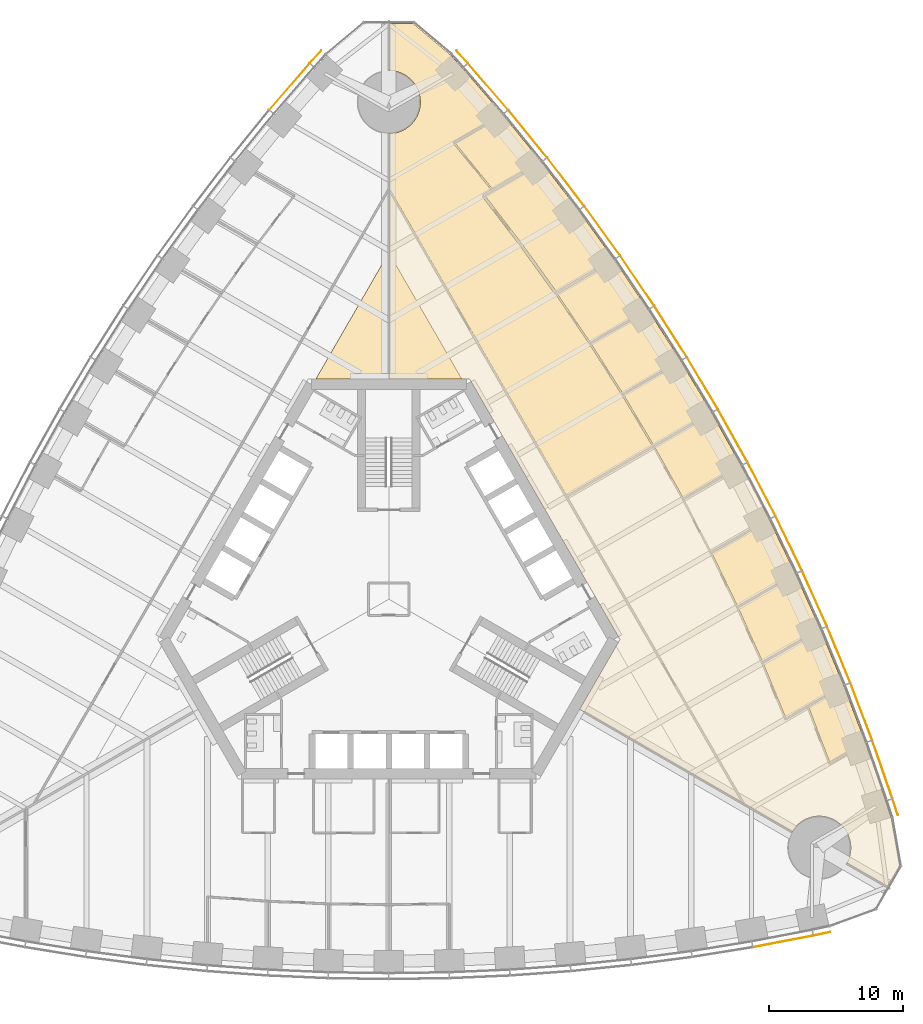
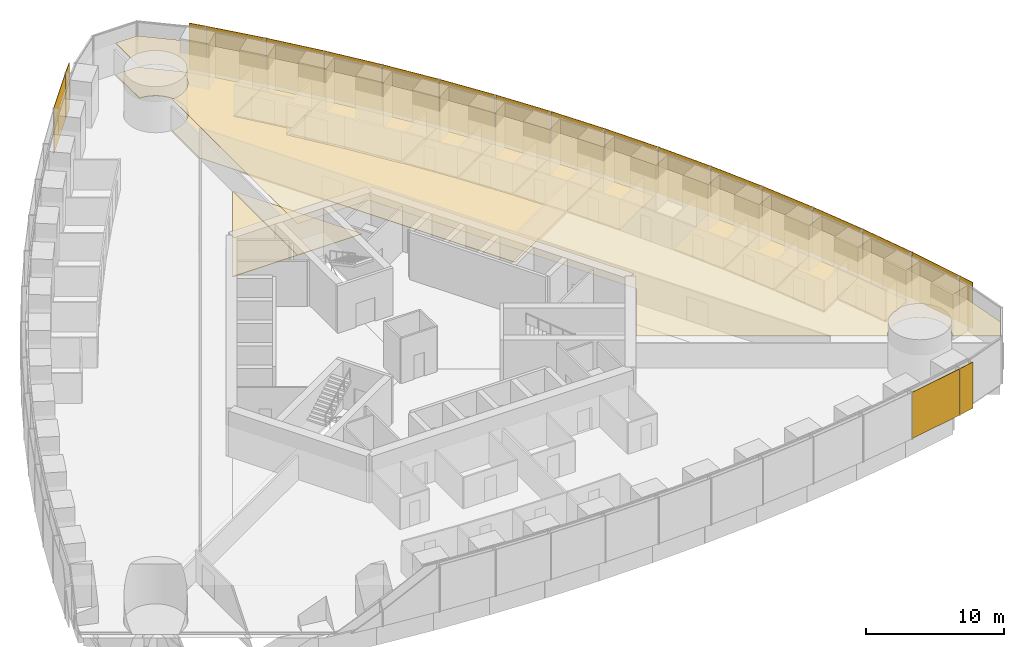
# One storey, part 16 of 18: 20 shading devices, 14 coverings.
"""IFC4 building model written with IfcOpenShell, lengths in metres."""

from ifc_helpers import new_model, si_unit, direction, frame, origin, origin_2d, place, context, subcontext, project, spatial, polyline, rectangle, outline, extrude, material, layer, layer_set, type_object, element, save


model = new_model("IFC4")

# Units and contexts
model_context = context("Model", 3, precision=1e-05, world=origin(), true_north=direction((0.0, 1.0)))
body_context = subcontext(model_context, "Body", "Model", "MODEL_VIEW")
ifc_project = project(units=[si_unit("LENGTHUNIT", "METRE"), si_unit("AREAUNIT", "SQUARE_METRE"), si_unit("VOLUMEUNIT", "CUBIC_METRE"), si_unit("PLANEANGLEUNIT", "RADIAN"), si_unit("MASSUNIT", "GRAM", prefix="KILO")], contexts=[model_context])

# Site, building, storey
site_placement = place(None, origin())
site = spatial("IfcSite", under=ifc_project, at=site_placement, CompositionType="ELEMENT")
building_placement = place(site_placement, origin())
building = spatial("IfcBuilding", under=site, at=building_placement, Name="Trefoil Bronze Tower", CompositionType="ELEMENT")
storey_placement = place(building_placement, frame((0.0, 0.0, 75.300048828125)))
storey = spatial("IfcBuildingStorey", under=building, at=storey_placement, Name="L17", CompositionType="ELEMENT", Elevation=75.300048828125)

# Shading devices
ifc_material_1 = material(Name="Perforated bronze sheet", Category="bronze")
ifc_layer_1 = layer(ifc_material_1, 0.0400390625)
ifc_layer_set_1 = layer_set([ifc_layer_1], Name="Bronze solar screen panel")
shading_device_type = type_object("IfcShadingDeviceType", Name="Bronze solar screen panel", PredefinedType="SHUTTER", material=ifc_layer_set_1)
shading_device_1_placement = place(storey_placement, frame((29.351806640625, -25.478515625, 0.0498046875), z_axis=(0.0, 0.0, 1.0), x_axis=(0.982049823817, 0.188621694249, 0.0)))
element("IfcShadingDevice", 1, at=shading_device_1_placement, inside=storey, type_object=shading_device_type, Name="Solar screen CW-A L17 F1 bay 15", PredefinedType="SHUTTER", context=body_context, shape_type="SweptSolid", body=[
    extrude(rectangle(XDim=4.55224609375, YDim=0.0400390625, at=origin_2d()), origin(), (0.0, 0.0, 1.0), 4.10009765625),
])
for number, where, z_axis, x_axis, name in (
    (2, (32.2431640625, -24.91064453125, 0.0498046875), (0.0, 0.0, 1.0), (0.978302717041, 0.207180582657, 0.0), "Solar screen CW-A L17 F1 bay 16"),
    (3, (37.69482421875, -15.468017578125, 0.0498046875), (0.0, 0.0, 1.0), (-0.309727710769, 0.950825296877, 0.0), "Solar screen CW-A L17 F2 bay 1"),
):
    element("IfcShadingDevice", number, at=place(storey_placement, frame(where, z_axis=z_axis, x_axis=x_axis)), inside=storey, type_object=shading_device_type, Name=name, PredefinedType="SHUTTER", context=body_context, shape_type="SweptSolid", body=[
        extrude(rectangle(XDim=1.260498046875, YDim=0.0400390625, at=origin_2d()), origin(), (0.0, 0.0, 1.0), 4.10009765625),
    ])
shading_device_2_placement = place(storey_placement, frame((36.740966796875, -12.68017578125, 0.0498046875), z_axis=(0.0, 0.0, 1.0), x_axis=(-0.327673732984, 0.944790942332, 0.0)))
element("IfcShadingDevice", 4, at=shading_device_2_placement, inside=storey, type_object=shading_device_type, Name="Solar screen CW-A L17 F2 bay 2", PredefinedType="SHUTTER", context=body_context, shape_type="SweptSolid", body=[
    extrude(rectangle(XDim=4.55224609375, YDim=0.0400390625, at=origin_2d()), origin(), (0.0, 0.0, 1.0), 4.10009765625),
])
shading_device_3_placement = place(storey_placement, frame((35.1748046875, -8.3701171875, 0.0498046875), z_axis=(0.0, 0.0, 1.0), x_axis=(-0.355370585687, 0.934725492767, 0.0)))
element("IfcShadingDevice", 5, at=shading_device_3_placement, inside=storey, type_object=shading_device_type, Name="Solar screen CW-A L17 F2 bay 3", PredefinedType="SHUTTER", context=body_context, shape_type="SweptSolid", body=[
    extrude(rectangle(XDim=4.5283203125, YDim=0.0400390625, at=origin_2d()), origin(), (0.0, 0.0, 1.0), 4.10009765625),
])
shading_device_4_placement = place(storey_placement, frame((33.49072265625, -4.128173828125, 0.0498046875), z_axis=(0.0, 0.0, 1.0), x_axis=(-0.382629580712, 0.923901836758, 0.0)))
element("IfcShadingDevice", 6, at=shading_device_4_placement, inside=storey, type_object=shading_device_type, Name="Solar screen CW-A L17 F2 bay 4", PredefinedType="SHUTTER", context=body_context, shape_type="SweptSolid", body=[
    extrude(rectangle(XDim=4.5087890625, YDim=0.0400390625, at=origin_2d()), origin(), (0.0, 0.0, 1.0), 4.10009765625),
])
shading_device_5_placement = place(storey_placement, frame((31.68994140625, 0.04638671875, 0.0498046875), z_axis=(0.0, 0.0, 1.0), x_axis=(-0.40945635808, 0.912329705111, 0.0)))
element("IfcShadingDevice", 7, at=shading_device_5_placement, inside=storey, type_object=shading_device_type, Name="Solar screen CW-A L17 F2 bay 5", PredefinedType="SHUTTER", context=body_context, shape_type="SweptSolid", body=[
    extrude(rectangle(XDim=4.493408203125, YDim=0.0400390625, at=origin_2d()), origin(), (0.0, 0.0, 1.0), 4.10009765625),
])
shading_device_6_placement = place(storey_placement, frame((29.77392578125, 4.154541015625, 0.0498046875), z_axis=(0.0, 0.0, 1.0), x_axis=(-0.4358553457, 0.900016731858, 0.0)))
element("IfcShadingDevice", 8, at=shading_device_6_placement, inside=storey, type_object=shading_device_type, Name="Solar screen CW-A L17 F2 bay 6", PredefinedType="SHUTTER", context=body_context, shape_type="SweptSolid", body=[
    extrude(rectangle(XDim=4.48193359375, YDim=0.0400390625, at=origin_2d()), origin(), (0.0, 0.0, 1.0), 4.10009765625),
])
shading_device_7_placement = place(storey_placement, frame((27.74365234375, 8.1962890625, 0.0498046875), z_axis=(0.0, 0.0, 1.0), x_axis=(-0.46182981834, 0.886968555752, 0.0)))
element("IfcShadingDevice", 9, at=shading_device_7_placement, inside=storey, type_object=shading_device_type, Name="Solar screen CW-A L17 F2 bay 7", PredefinedType="SHUTTER", context=body_context, shape_type="SweptSolid", body=[
    extrude(rectangle(XDim=4.474365234375, YDim=0.0400390625, at=origin_2d()), origin(), (0.0, 0.0, 1.0), 4.10009765625),
])
for number, where, z_axis, x_axis, name in (
    (10, (25.599365234375, 12.172607421875, 0.0498046875), (0.0, 0.0, 1.0), (-0.487381940453, 0.873188893722, 0.0), "Solar screen CW-A L17 F2 bay 8"),
    (11, (23.341552734375, 16.083251953125, 0.0498046875), (0.0, 0.0, 1.0), (-0.51251279404, 0.858679588639, 0.0), "Solar screen CW-A L17 F2 bay 9"),
):
    element("IfcShadingDevice", number, at=place(storey_placement, frame(where, z_axis=z_axis, x_axis=x_axis)), inside=storey, type_object=shading_device_type, Name=name, PredefinedType="SHUTTER", context=body_context, shape_type="SweptSolid", body=[
        extrude(rectangle(XDim=4.470458984375, YDim=0.0400390625, at=origin_2d()), origin(), (0.0, 0.0, 1.0), 4.10009765625),
    ])
shading_device_8_placement = place(storey_placement, frame((20.97021484375, 19.928466796875, 0.0498046875), z_axis=(0.0, 0.0, 1.0), x_axis=(-0.537222392469, 0.843440632783, 0.0)))
element("IfcShadingDevice", 12, at=shading_device_8_placement, inside=storey, type_object=shading_device_type, Name="Solar screen CW-A L17 F2 bay 10", PredefinedType="SHUTTER", context=body_context, shape_type="SweptSolid", body=[
    extrude(rectangle(XDim=4.474365234375, YDim=0.0400390625, at=origin_2d()), origin(), (0.0, 0.0, 1.0), 4.10009765625),
])
shading_device_9_placement = place(storey_placement, frame((18.48486328125, 23.707763671875, 0.0498046875), z_axis=(0.0, 0.0, 1.0), x_axis=(-0.56150968077, 0.827470167681, 0.0)))
element("IfcShadingDevice", 13, at=shading_device_9_placement, inside=storey, type_object=shading_device_type, Name="Solar screen CW-A L17 F2 bay 11", PredefinedType="SHUTTER", context=body_context, shape_type="SweptSolid", body=[
    extrude(rectangle(XDim=4.48193359375, YDim=0.0400390625, at=origin_2d()), origin(), (0.0, 0.0, 1.0), 4.10009765625),
])
shading_device_10_placement = place(storey_placement, frame((15.88525390625, 27.421142578125, 0.0498046875), z_axis=(0.0, 0.0, 1.0), x_axis=(-0.585372522213, 0.810764460394, 0.0)))
element("IfcShadingDevice", 14, at=shading_device_10_placement, inside=storey, type_object=shading_device_type, Name="Solar screen CW-A L17 F2 bay 12", PredefinedType="SHUTTER", context=body_context, shape_type="SweptSolid", body=[
    extrude(rectangle(XDim=4.493408203125, YDim=0.0400390625, at=origin_2d()), origin(), (0.0, 0.0, 1.0), 4.10009765625),
])
shading_device_11_placement = place(storey_placement, frame((13.170166015625, 31.06787109375, 0.0498046875), z_axis=(0.0, 0.0, 1.0), x_axis=(-0.608807670879, 0.793317855515, 0.0)))
element("IfcShadingDevice", 15, at=shading_device_11_placement, inside=storey, type_object=shading_device_type, Name="Solar screen CW-A L17 F2 bay 13", PredefinedType="SHUTTER", context=body_context, shape_type="SweptSolid", body=[
    extrude(rectangle(XDim=4.5087890625, YDim=0.0400390625, at=origin_2d()), origin(), (0.0, 0.0, 1.0), 4.10009765625),
])
shading_device_12_placement = place(storey_placement, frame((10.338623046875, 34.6474609375, 0.0498046875), z_axis=(0.0, 0.0, 1.0), x_axis=(-0.631810729457, 0.775122701346, 0.0)))
element("IfcShadingDevice", 16, at=shading_device_12_placement, inside=storey, type_object=shading_device_type, Name="Solar screen CW-A L17 F2 bay 14", PredefinedType="SHUTTER", context=body_context, shape_type="SweptSolid", body=[
    extrude(rectangle(XDim=4.5283203125, YDim=0.0400390625, at=origin_2d()), origin(), (0.0, 0.0, 1.0), 4.10009765625),
])
shading_device_13_placement = place(storey_placement, frame((7.38916015625, 38.15869140625, 0.0498046875), z_axis=(0.0, 0.0, 1.0), x_axis=(-0.654376090833, 0.756169248083, 0.0)))
element("IfcShadingDevice", 17, at=shading_device_13_placement, inside=storey, type_object=shading_device_type, Name="Solar screen CW-A L17 F2 bay 15", PredefinedType="SHUTTER", context=body_context, shape_type="SweptSolid", body=[
    extrude(rectangle(XDim=4.55224609375, YDim=0.0400390625, at=origin_2d()), origin(), (0.0, 0.0, 1.0), 4.10009765625),
])
for number, where, z_axis, x_axis, name in (
    (18, (5.45166015625, 40.378662109375, 0.0498046875), (0.0, 0.0, 1.0), (-0.668575006272, 0.743644714221, 0.0), "Solar screen CW-A L17 F2 bay 16"),
    (19, (-5.45166015625, 40.378662109375, 0.0498046875), (0.0, 0.0, 1.0), (-0.668575006272, -0.743644714221, 0.0), "Solar screen CW-A L17 F3 bay 1"),
):
    element("IfcShadingDevice", number, at=place(storey_placement, frame(where, z_axis=z_axis, x_axis=x_axis)), inside=storey, type_object=shading_device_type, Name=name, PredefinedType="SHUTTER", context=body_context, shape_type="SweptSolid", body=[
        extrude(rectangle(XDim=1.260498046875, YDim=0.0400390625, at=origin_2d()), origin(), (0.0, 0.0, 1.0), 4.10009765625),
    ])
shading_device_14_placement = place(storey_placement, frame((-7.38916015625, 38.15869140625, 0.0498046875), z_axis=(0.0, 0.0, 1.0), x_axis=(-0.654376090833, -0.756169248083, 0.0)))
element("IfcShadingDevice", 20, at=shading_device_14_placement, inside=storey, type_object=shading_device_type, Name="Solar screen CW-A L17 F3 bay 2", PredefinedType="SHUTTER", context=body_context, shape_type="SweptSolid", body=[
    extrude(rectangle(XDim=4.55224609375, YDim=0.0400390625, at=origin_2d()), origin(), (0.0, 0.0, 1.0), 4.10009765625),
])

# Coverings
ifc_material_2 = material(Name="Acoustic ceiling panels", Category="mineral fibre")
ifc_layer_2 = layer(ifc_material_2, 0.02001953125)
ifc_layer_set_2 = layer_set([ifc_layer_2], Name="Office ceiling 20")
covering_type_1 = type_object("IfcCoveringType", Name="Office ceiling 20", PredefinedType="CEILING", material=ifc_layer_set_2)
covering_1_placement = place(storey_placement, frame((0.0, 0.0, 2.89990234375)))
element("IfcCovering", 21, at=covering_1_placement, inside=storey, type_object=covering_type_1, Name="Ceiling L17 Open-plan office F2", PredefinedType="CEILING", context=body_context, shape_type="SweptSolid", body=[
    extrude(outline(polyline([(5.4814453125, 39.537841796875), (8.47998046875, 36.072998046875), (11.360107421875, 32.53955078125), (14.123291015625, 28.938720703125), (16.771240234375, 25.271484375), (19.3046875, 21.537841796875), (21.724609375, 17.73876953125), (24.031005859375, 13.87451171875), (26.224609375, 9.944580078125), (28.3046875, 5.949462890625), (30.271240234375, 1.888671875), (32.123291015625, -2.23828125), (33.860107421875, -6.431640625), (35.47998046875, -10.6923828125), (36.9814453125, -15.021728515625), (37.381103515625, -16.248779296875), (38.0146484375, -19.841552734375), (37.110595703125, -21.4072265625), (34.084716796875, -19.661865234375), (34.115478515625, -19.60791015625), (34.167236328125, -19.5048828125), (34.214111328125, -19.3994140625), (34.255615234375, -19.291748046875), (34.291748046875, -19.18212890625), (34.322509765625, -19.071044921875), (34.347900390625, -18.95849609375), (34.367431640625, -18.8447265625), (34.381591796875, -18.730224609375), (34.39013671875, -18.615234375), (34.392822265625, -18.5), (34.39013671875, -18.384765625), (34.381591796875, -18.269775390625), (34.367431640625, -18.1552734375), (34.347900390625, -18.04150390625), (34.322509765625, -17.928955078125), (34.291748046875, -17.81787109375), (34.255615234375, -17.708251953125), (34.214111328125, -17.6005859375), (34.167236328125, -17.4951171875), (34.115478515625, -17.39208984375), (34.05859375, -17.2919921875), (33.996826171875, -17.1943359375), (33.930419921875, -17.10009765625), (33.859619140625, -17.00927734375), (33.7841796875, -16.921875), (33.70458984375, -16.83837890625), (33.62109375, -16.7587890625), (33.53369140625, -16.683349609375), (33.44287109375, -16.612548828125), (33.348388671875, -16.5458984375), (33.251220703125, -16.484375), (33.150634765625, -16.427490234375), (33.047607421875, -16.37548828125), (32.942138671875, -16.328857421875), (32.834716796875, -16.287353515625), (32.72509765625, -16.251220703125), (32.614013671875, -16.220458984375), (32.50146484375, -16.1953125), (32.3876953125, -16.17529296875), (32.273193359375, -16.161376953125), (32.158203125, -16.15283203125), (32.04296875, -16.14990234375), (31.927490234375, -16.15283203125), (31.8125, -16.161376953125), (31.697998046875, -16.17529296875), (31.58447265625, -16.1953125), (31.471923828125, -16.220458984375), (31.36083984375, -16.251220703125), (31.251220703125, -16.287353515625), (31.1435546875, -16.328857421875), (31.0380859375, -16.37548828125), (30.935302734375, -16.427490234375), (30.834716796875, -16.484375), (30.7373046875, -16.5458984375), (30.64306640625, -16.612548828125), (30.552001953125, -16.683349609375), (30.46484375, -16.7587890625), (30.381103515625, -16.83837890625), (30.3017578125, -16.921875), (30.226318359375, -17.00927734375), (30.155517578125, -17.10009765625), (30.089111328125, -17.1943359375), (30.02734375, -17.2919921875), (30.0146484375, -17.31396484375), (14.205810546875, -8.194580078125), (17.205078125, -3.0), (6.00439453125, 16.39990234375), (0.006103515625, 16.39990234375), (0.012939453125, 34.650390625), (0.115234375, 34.65283203125), (0.230224609375, 34.661376953125), (0.3447265625, 34.67529296875), (0.45849609375, 34.6953125), (0.571044921875, 34.720458984375), (0.68212890625, 34.751220703125), (0.791748046875, 34.787353515625), (0.8994140625, 34.828857421875), (1.0048828125, 34.87548828125), (1.10791015625, 34.927490234375), (1.2080078125, 34.984375), (1.3056640625, 35.0458984375), (1.39990234375, 35.112548828125), (1.49072265625, 35.183349609375), (1.578125, 35.2587890625), (1.66162109375, 35.33837890625), (1.7412109375, 35.421875), (1.816650390625, 35.50927734375), (1.887451171875, 35.60009765625), (1.9541015625, 35.6943359375), (2.015625, 35.7919921875), (2.072509765625, 35.89208984375), (2.12451171875, 35.9951171875), (2.171142578125, 36.1005859375), (2.212646484375, 36.208251953125), (2.248779296875, 36.31787109375), (2.279541015625, 36.428955078125), (2.3046875, 36.54150390625), (2.32470703125, 36.6552734375), (2.338623046875, 36.769775390625), (2.34716796875, 36.884765625), (2.35009765625, 37.0), (2.34716796875, 37.115234375), (2.338623046875, 37.230224609375), (2.32470703125, 37.3447265625), (2.3046875, 37.45849609375), (2.279541015625, 37.571044921875), (2.248779296875, 37.68212890625), (2.212646484375, 37.791748046875), (2.171142578125, 37.8994140625), (2.12451171875, 38.0048828125), (2.072509765625, 38.10791015625), (2.015625, 38.2080078125), (1.9541015625, 38.3056640625), (1.887451171875, 38.39990234375), (1.816650390625, 38.49072265625), (1.7412109375, 38.578125), (1.66162109375, 38.66162109375), (1.578125, 38.7412109375), (1.49072265625, 38.816650390625), (1.39990234375, 38.887451171875), (1.3056640625, 38.9541015625), (1.2080078125, 39.015625), (1.10791015625, 39.072509765625), (1.0048828125, 39.12451171875), (0.8994140625, 39.171142578125), (0.791748046875, 39.212646484375), (0.68212890625, 39.248779296875), (0.571044921875, 39.279541015625), (0.45849609375, 39.3046875), (0.3447265625, 39.32470703125), (0.230224609375, 39.338623046875), (0.115234375, 39.34716796875), (0.014892578125, 39.349609375), (0.01611328125, 42.84228515625), (1.82421875, 42.84228515625), (4.618896484375, 40.497314453125), (5.4814453125, 39.537841796875)])), origin(), (0.0, 0.0, 1.0), 0.02001953125),
])
ifc_material_3 = material(Name="Raised access floor panels", Category="steel")
ifc_layer_3 = layer(ifc_material_3, 0.050048828125)
ifc_layer_set_3 = layer_set([ifc_layer_3], Name="Raised access floor 150")
covering_type_2 = type_object("IfcCoveringType", Name="Raised access floor 150", PredefinedType="FLOORING", material=ifc_layer_set_3)
covering_2_placement = place(storey_placement, frame((0.0, 0.0, 0.099853515625)))
element("IfcCovering", 22, at=covering_2_placement, inside=storey, type_object=covering_type_2, Name="Raised floor L17 Reception F2", PredefinedType="FLOORING", context=body_context, shape_type="SweptSolid", body=[
    extrude(outline(polyline([(11.360107421875, 32.53955078125), (9.93359375, 31.7158203125), (9.883544921875, 31.802490234375), (7.71142578125, 30.54833984375), (4.933837890625, 33.9560546875), (7.07666015625, 35.193359375), (7.046630859375, 35.245361328125), (8.47998046875, 36.072998046875), (11.360107421875, 32.53955078125)])), origin(), (0.0, 0.0, 1.0), 0.050048828125),
])
covering_3_placement = place(storey_placement, frame((0.0, 0.0, 0.099853515625)))
element("IfcCovering", 23, at=covering_3_placement, inside=storey, type_object=covering_type_2, Name="Raised floor L17 Boardroom F2", PredefinedType="FLOORING", context=body_context, shape_type="SweptSolid", body=[
    extrude(outline(polyline([(16.771240234375, 25.271484375), (15.354248046875, 24.453369140625), (15.30419921875, 24.539794921875), (12.469482421875, 22.903076171875), (9.87451171875, 26.497314453125), (9.793212890625, 26.438720703125), (9.87255859375, 26.49951171875), (7.1787109375, 30.010009765625), (9.9833984375, 31.62939453125), (9.93359375, 31.7158203125), (11.360107421875, 32.53955078125), (14.123291015625, 28.938720703125), (16.771240234375, 25.271484375)])), origin(), (0.0, 0.0, 1.0), 0.050048828125),
])
covering_4_placement = place(storey_placement, frame((0.0, 0.0, 0.099853515625)))
element("IfcCovering", 24, at=covering_4_placement, inside=storey, type_object=covering_type_2, Name="Raised floor L17 Office F2", PredefinedType="FLOORING", context=body_context, shape_type="SweptSolid", body=[
    extrude(outline(polyline([(16.771240234375, 25.271484375), (19.3046875, 21.537841796875), (17.890869140625, 20.721435546875), (17.86083984375, 20.7734375), (14.992919921875, 19.117919921875), (12.549560546875, 22.718505859375), (15.404296875, 24.36669921875), (15.354248046875, 24.453369140625), (16.771240234375, 25.271484375)])), origin(), (0.0, 0.0, 1.0), 0.050048828125),
])
covering_5_placement = place(storey_placement, frame((0.0, 0.0, 0.099853515625)))
element("IfcCovering", 25, at=covering_5_placement, inside=storey, type_object=covering_type_2, Name="Raised floor L17 Office F2", PredefinedType="FLOORING", context=body_context, shape_type="SweptSolid", body=[
    extrude(outline(polyline([(21.724609375, 17.73876953125), (20.312255859375, 16.923583984375), (20.2822265625, 16.975341796875), (17.414306640625, 15.319580078125), (15.058837890625, 19.017333984375), (17.9208984375, 20.669677734375), (17.890869140625, 20.721435546875), (19.3046875, 21.537841796875), (21.724609375, 17.73876953125)])), origin(), (0.0, 0.0, 1.0), 0.050048828125),
])
covering_6_placement = place(storey_placement, frame((0.0, 0.0, 0.099853515625)))
element("IfcCovering", 26, at=covering_6_placement, inside=storey, type_object=covering_type_2, Name="Raised floor L17 Office F2", PredefinedType="FLOORING", context=body_context, shape_type="SweptSolid", body=[
    extrude(outline(polyline([(21.724609375, 17.73876953125), (24.031005859375, 13.87451171875), (22.619384765625, 13.059326171875), (22.58203125, 13.124267578125), (19.714599609375, 11.46875), (17.47705078125, 15.21728515625), (20.34228515625, 16.87158203125), (20.312255859375, 16.923583984375), (21.724609375, 17.73876953125)])), origin(), (0.0, 0.0, 1.0), 0.050048828125),
])
covering_7_placement = place(storey_placement, frame((0.0, 0.0, 0.099853515625)))
element("IfcCovering", 27, at=covering_7_placement, inside=storey, type_object=covering_type_2, Name="Raised floor L17 Office F2", PredefinedType="FLOORING", context=body_context, shape_type="SweptSolid", body=[
    extrude(outline(polyline([(24.031005859375, 13.87451171875), (26.224609375, 9.944580078125), (24.812255859375, 9.12939453125), (24.7822265625, 9.18115234375), (21.9169921875, 7.527099609375), (19.78955078125, 11.3388671875), (22.656982421875, 12.994384765625), (22.619384765625, 13.059326171875), (24.031005859375, 13.87451171875)])), origin(), (0.0, 0.0, 1.0), 0.050048828125),
])
covering_8_placement = place(storey_placement, frame((0.0, 0.0, 0.099853515625)))
element("IfcCovering", 28, at=covering_8_placement, inside=storey, type_object=covering_type_2, Name="Raised floor L17 Office F2", PredefinedType="FLOORING", context=body_context, shape_type="SweptSolid", body=[
    extrude(outline(polyline([(28.3046875, 5.949462890625), (30.271240234375, 1.888671875), (28.854248046875, 1.070556640625), (28.82421875, 1.12255859375), (25.967041015625, -0.527099609375), (24.052978515625, 3.42529296875), (26.9208984375, 5.0810546875), (26.890869140625, 5.133056640625), (28.3046875, 5.949462890625)])), origin(), (0.0, 0.0, 1.0), 0.050048828125),
])
covering_9_placement = place(storey_placement, frame((0.0, 0.0, 0.099853515625)))
element("IfcCovering", 29, at=covering_9_placement, inside=storey, type_object=covering_type_2, Name="Raised floor L17 Meeting room F2", PredefinedType="FLOORING", context=body_context, shape_type="SweptSolid", body=[
    extrude(outline(polyline([(32.123291015625, -2.23828125), (30.7021484375, -3.05859375), (30.672119140625, -3.006591796875), (27.82080078125, -4.653076171875), (26.01806640625, -0.63623046875), (28.88427734375, 1.0185546875), (28.854248046875, 1.070556640625), (30.271240234375, 1.888671875), (32.123291015625, -2.23828125)])), origin(), (0.0, 0.0, 1.0), 0.050048828125),
])
covering_10_placement = place(storey_placement, frame((0.0, 0.0, 0.099853515625)))
element("IfcCovering", 30, at=covering_10_placement, inside=storey, type_object=covering_type_2, Name="Raised floor L17 Meeting room F2", PredefinedType="FLOORING", context=body_context, shape_type="SweptSolid", body=[
    extrude(outline(polyline([(32.123291015625, -2.23828125), (33.860107421875, -6.431640625), (32.43359375, -7.25537109375), (32.403564453125, -7.203369140625), (29.55908203125, -8.845458984375), (27.868896484375, -4.763916015625), (30.732177734375, -3.110595703125), (30.7021484375, -3.05859375), (32.123291015625, -2.23828125)])), origin(), (0.0, 0.0, 1.0), 0.050048828125),
])
covering_11_placement = place(storey_placement, frame((0.0, 0.0, 0.099853515625)))
element("IfcCovering", 31, at=covering_11_placement, inside=storey, type_object=covering_type_2, Name="Raised floor L17 Comms room F2", PredefinedType="FLOORING", context=body_context, shape_type="SweptSolid", body=[
    extrude(outline(polyline([(33.860107421875, -6.431640625), (35.47998046875, -10.6923828125), (34.046630859375, -11.52001953125), (34.0166015625, -11.468017578125), (32.826416015625, -12.1552734375), (31.249755859375, -8.008056640625), (32.46337890625, -7.30712890625), (32.43359375, -7.25537109375), (33.860107421875, -6.431640625)])), origin(), (0.0, 0.0, 1.0), 0.050048828125),
])
covering_12_placement = place(storey_placement, frame((0.0, 0.0, 0.099853515625)))
element("IfcCovering", 32, at=covering_12_placement, inside=storey, type_object=covering_type_2, Name="Raised floor L17 Open-plan office F2", PredefinedType="FLOORING", context=body_context, shape_type="SweptSolid", body=[
    extrude(outline(polyline([(7.046630859375, 35.245361328125), (7.0166015625, 35.29736328125), (4.812744140625, 34.02490234375), (4.8427734375, 33.972900390625), (4.796142578125, 33.93505859375), (7.606201171875, 30.48779296875), (6.97998046875, 30.126220703125), (7.030029296875, 30.03955078125), (6.95068359375, 29.978515625), (9.713134765625, 26.37890625), (12.360107421875, 22.712890625), (12.392578125, 22.736083984375), (14.924560546875, 19.0048828125), (17.34326171875, 15.207275390625), (19.610595703125, 11.40869140625), (13.22998046875, 7.72509765625), (0.068359375, 30.521484375), (0.011474609375, 30.488525390625), (0.012939453125, 34.650390625), (0.115234375, 34.65283203125), (0.230224609375, 34.661376953125), (0.3447265625, 34.67529296875), (0.45849609375, 34.6953125), (0.571044921875, 34.720458984375), (0.68212890625, 34.751220703125), (0.791748046875, 34.787353515625), (0.8994140625, 34.828857421875), (1.0048828125, 34.87548828125), (1.10791015625, 34.927490234375), (1.2080078125, 34.984375), (1.3056640625, 35.0458984375), (1.39990234375, 35.112548828125), (1.49072265625, 35.183349609375), (1.578125, 35.2587890625), (1.66162109375, 35.33837890625), (1.7412109375, 35.421875), (1.816650390625, 35.50927734375), (1.887451171875, 35.60009765625), (1.9541015625, 35.6943359375), (2.015625, 35.7919921875), (2.072509765625, 35.89208984375), (2.12451171875, 35.9951171875), (2.171142578125, 36.1005859375), (2.212646484375, 36.208251953125), (2.248779296875, 36.31787109375), (2.279541015625, 36.428955078125), (2.3046875, 36.54150390625), (2.32470703125, 36.6552734375), (2.338623046875, 36.769775390625), (2.34716796875, 36.884765625), (2.35009765625, 37.0), (2.34716796875, 37.115234375), (2.338623046875, 37.230224609375), (2.32470703125, 37.3447265625), (2.3046875, 37.45849609375), (2.279541015625, 37.571044921875), (2.248779296875, 37.68212890625), (2.212646484375, 37.791748046875), (2.171142578125, 37.8994140625), (2.12451171875, 38.0048828125), (2.072509765625, 38.10791015625), (2.015625, 38.2080078125), (1.9541015625, 38.3056640625), (1.887451171875, 38.39990234375), (1.816650390625, 38.49072265625), (1.7412109375, 38.578125), (1.66162109375, 38.66162109375), (1.578125, 38.7412109375), (1.49072265625, 38.816650390625), (1.39990234375, 38.887451171875), (1.3056640625, 38.9541015625), (1.2080078125, 39.015625), (1.10791015625, 39.072509765625), (1.0048828125, 39.12451171875), (0.8994140625, 39.171142578125), (0.791748046875, 39.212646484375), (0.68212890625, 39.248779296875), (0.571044921875, 39.279541015625), (0.45849609375, 39.3046875), (0.3447265625, 39.32470703125), (0.230224609375, 39.338623046875), (0.115234375, 39.34716796875), (0.014892578125, 39.349609375), (0.01611328125, 42.84228515625), (1.82421875, 42.84228515625), (4.618896484375, 40.497314453125), (5.4814453125, 39.537841796875), (8.47998046875, 36.072998046875), (7.046630859375, 35.245361328125)])), origin(), (0.0, 0.0, 1.0), 0.050048828125),
])
covering_13_placement = place(storey_placement, frame((0.0, 0.0, 0.099853515625)))
element("IfcCovering", 33, at=covering_13_placement, inside=storey, type_object=covering_type_2, Name="Raised floor L17 Open-plan office F2", PredefinedType="FLOORING", context=body_context, shape_type="SweptSolid", body=[
    extrude(outline(polyline([(0.006103515625, 16.39990234375), (0.009765625, 25.783203125), (5.427001953125, 16.39990234375), (0.006103515625, 16.39990234375)])), origin(), (0.0, 0.0, 1.0), 0.050048828125),
])
covering_14_placement = place(storey_placement, frame((0.0, 0.0, 0.099853515625)))
element("IfcCovering", 34, at=covering_14_placement, inside=storey, type_object=covering_type_2, Name="Raised floor L17 Open-plan office F3", PredefinedType="FLOORING", context=body_context, shape_type="SweptSolid", body=[
    extrude(outline(polyline([(-0.006103515625, 16.39990234375), (-5.427001953125, 16.39990234375), (-0.009765625, 25.783203125), (-0.006103515625, 16.39990234375)])), origin(), (0.0, 0.0, 1.0), 0.050048828125),
])

save(model, "model.ifc")
